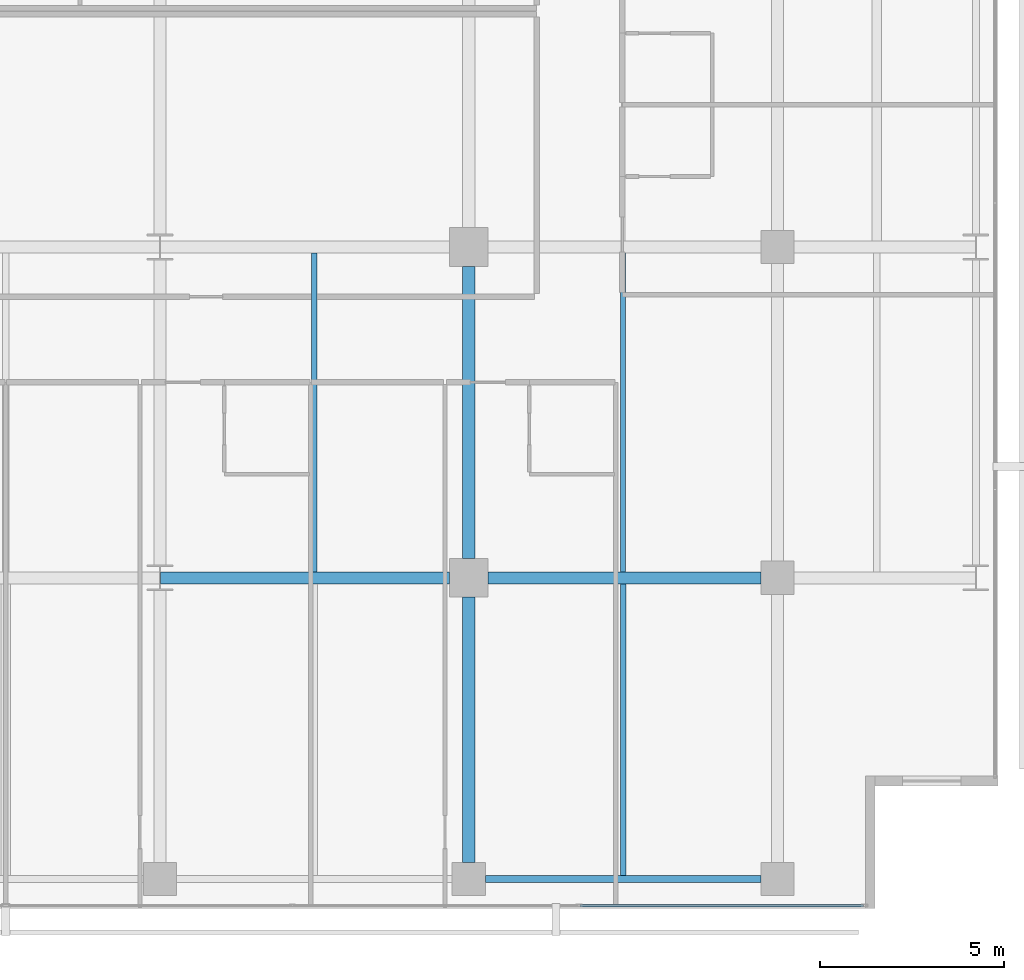
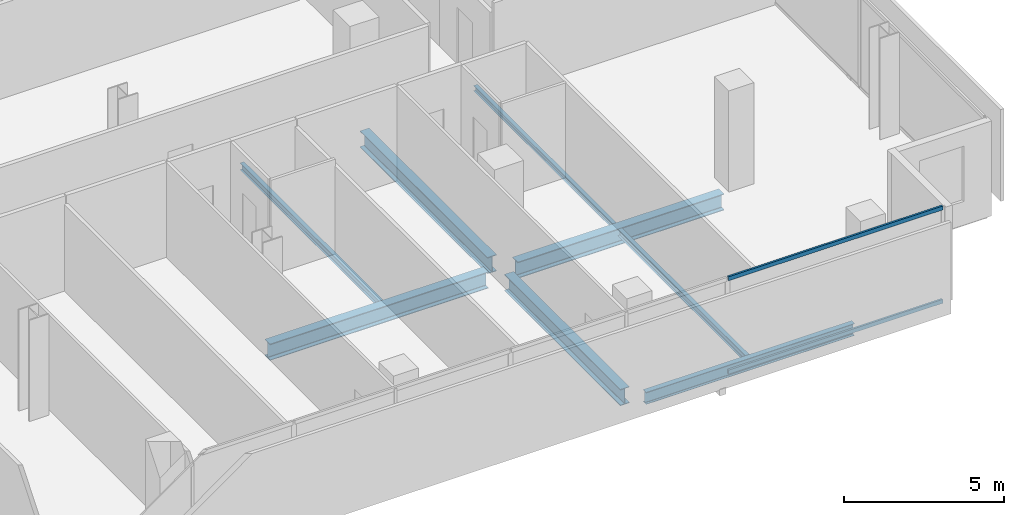
# One storey, part 15 of 40: 8 beams, 2 members, 1 element without a shape of its own.
"""IFC4 building model written with IfcOpenShell, lengths in metres."""

from ifc_helpers import new_model, si_unit, direction, frame, origin, origin_2d, place, context, subcontext, project, spatial, hollow_rectangle, i_section, extrude, material, layer, layer_set, material_profile, profile_set, type_object, element, aggregate, save


model = new_model("IFC4")

# Units and contexts
model_context = context("Model", 3, precision=1e-05, world=origin(), true_north=direction((0.0, 1.0)))
body_context = subcontext(model_context, "Body", "Model", "MODEL_VIEW")
ifc_project = project(units=[si_unit("LENGTHUNIT", "METRE"), si_unit("AREAUNIT", "SQUARE_METRE"), si_unit("VOLUMEUNIT", "CUBIC_METRE"), si_unit("PLANEANGLEUNIT", "RADIAN"), si_unit("MASSUNIT", "GRAM", prefix="KILO")], contexts=[model_context])

# Site, building, storey
site_placement = place(None, origin())
site = spatial("IfcSite", under=ifc_project, at=site_placement, CompositionType="ELEMENT")
building_placement = place(site_placement, origin())
building = spatial("IfcBuilding", under=site, at=building_placement, Name="Maruvema Waterfront Hotel and Observation Tower", CompositionType="ELEMENT")
storey_placement = place(building_placement, frame((0.0, 0.0, 50.050048828125)))
storey = spatial("IfcBuildingStorey", under=building, at=storey_placement, Name="L11", CompositionType="ELEMENT", Elevation=50.050048828125)

# Curtain wall, members
ifc_material_1 = material(Name="Anodised bronze aluminium and solar-control low-E IGU", Category="aluminium")
ifc_layer = layer(ifc_material_1, 0.159912109375, Name="Zone 1 Bronze Inner Thermal Curtain Wall System CW-02")
ifc_layer_set = layer_set([ifc_layer], Name="Anodised bronze aluminium and solar-control low-E IGU")
curtain_wall_type = type_object("IfcCurtainWallType", Name="Zone 1 Bronze Inner Thermal Curtain Wall System CW-02", PredefinedType="USERDEFINED", material=ifc_layer_set)
curtain_wall_placement = place(storey_placement, origin())
curtain_wall = element("IfcCurtainWall", 1, at=curtain_wall_placement, inside=storey, type_object=curtain_wall_type, Name="L11 Curtain Wall CW-L11-S", ObjectType="UNITISED CURTAIN WALL", PredefinedType="USERDEFINED")
ifc_material_2 = material(Name="Anodised architectural bronze aluminium", Category="aluminium")
ifc_material_profile_1 = material_profile(ifc_material_2, hollow_rectangle(XDim=0.070068359375, YDim=0.14990234375, WallThickness=0.00390625, at=origin_2d()), Name="ALU-T70x150")
ifc_profile_set_1 = profile_set([ifc_material_profile_1], Name="Anodised architectural bronze aluminium")
member_type = type_object("IfcMemberType", Name="Curtain Wall Horizontal Transom ALU-T70x150", PredefinedType="USERDEFINED", material=ifc_profile_set_1)
member_1_placement = place(storey_placement, frame((53.429931640625, 0.080078125, 0.030029296875), z_axis=(1.0, 0.0, 0.0), x_axis=(0.0, 1.0, 0.0)))
member_1 = element("IfcMember", 2, at=member_1_placement, type_object=member_type, Name="CW-02 transom 6.1", ObjectType="TRANSOM", PredefinedType="USERDEFINED", context=body_context, shape_type="SweptSolid", body=[
    extrude(hollow_rectangle(XDim=0.070068359375, YDim=0.14990234375, WallThickness=0.00390625, at=origin_2d()), origin(), (0.0, 0.0, 1.0), 7.7099609375),
])
member_2_placement = place(storey_placement, frame((53.429931640625, 0.080078125, 3.579833984375), z_axis=(1.0, 0.0, 0.0), x_axis=(0.0, 1.0, 0.0)))
member_2 = element("IfcMember", 3, at=member_2_placement, type_object=member_type, Name="CW-02 transom 6.2", ObjectType="TRANSOM", PredefinedType="USERDEFINED", context=body_context, shape_type="SweptSolid", body=[
    extrude(hollow_rectangle(XDim=0.070068359375, YDim=0.14990234375, WallThickness=0.00390625, at=origin_2d()), origin(), (0.0, 0.0, 1.0), 7.7099609375),
])
aggregate(curtain_wall, [member_1, member_2])

# Beams
ifc_material_3 = material(Name="Steel ASTM A572 Grade 50", Category="steel")
ifc_material_profile_2 = material_profile(ifc_material_3, i_section(OverallWidth=0.18994140625, OverallDepth=0.45703125, WebThickness=0.009033203125, FlangeThickness=0.014404296875, FilletRadius=0.014892578125, at=origin_2d()), Name="W460x74.0")
ifc_profile_set_2 = profile_set([ifc_material_profile_2], Name="Steel ASTM A572 Grade 50")
beam_type_1 = type_object("IfcBeamType", Name="Perimeter Spandrel Beam W460x74.0", PredefinedType="SPANDREL", material=ifc_profile_set_2)
beam_1_placement = place(storey_placement, frame((50.85009765625, 0.800048828125, -0.468505859375), z_axis=(1.0, 0.0, 0.0), x_axis=(0.0, 1.0, 0.0)))
element("IfcBeam", 4, at=beam_1_placement, inside=storey, type_object=beam_type_1, Name="L11 Floor Girder EW-05", PredefinedType="SPANDREL", context=body_context, shape_type="SweptSolid", body=[
    extrude(i_section(OverallWidth=0.18994140625, OverallDepth=0.45703125, WebThickness=0.009033203125, FlangeThickness=0.014404296875, FilletRadius=0.014892578125, at=origin_2d()), origin(), (0.0, 0.0, 1.0), 7.5),
])
ifc_material_4 = material(Name="Steel ASTM A572 Grade 50", Category="steel")
ifc_material_profile_3 = material_profile(ifc_material_4, i_section(OverallWidth=0.326904296875, OverallDepth=0.6220703125, WebThickness=0.015380859375, FlangeThickness=0.0244140625, FilletRadius=0.01806640625, at=origin_2d()), Name="W610x195.0")
ifc_profile_set_3 = profile_set([ifc_material_profile_3], Name="Steel ASTM A572 Grade 50")
beam_type_2 = type_object("IfcBeamType", Name="Primary Floor Girder W610x195.0", PredefinedType="BEAM", material=ifc_profile_set_3)
beam_2_placement = place(storey_placement, frame((42.013916015625, 9.0, -0.551025390625), z_axis=(1.0, 0.0, 0.0), x_axis=(0.0, 1.0, 0.0)))
element("IfcBeam", 5, at=beam_2_placement, inside=storey, type_object=beam_type_2, Name="L11 Floor Girder EW-10", PredefinedType="BEAM", context=body_context, shape_type="SweptSolid", body=[
    extrude(i_section(OverallWidth=0.326904296875, OverallDepth=0.6220703125, WebThickness=0.015380859375, FlangeThickness=0.0244140625, FilletRadius=0.01806640625, at=origin_2d()), origin(), (0.0, 0.0, 1.0), 7.861083984375),
])
beam_3_placement = place(storey_placement, frame((50.925048828125, 9.0, -0.551025390625), z_axis=(1.0, 0.0, 0.0), x_axis=(0.0, 1.0, 0.0)))
element("IfcBeam", 6, at=beam_3_placement, inside=storey, type_object=beam_type_2, Name="L11 Floor Girder EW-11", PredefinedType="BEAM", context=body_context, shape_type="SweptSolid", body=[
    extrude(i_section(OverallWidth=0.326904296875, OverallDepth=0.6220703125, WebThickness=0.015380859375, FlangeThickness=0.0244140625, FilletRadius=0.01806640625, at=origin_2d()), origin(), (0.0, 0.0, 1.0), 7.425048828125),
])
beam_4_placement = place(storey_placement, frame((50.39990234375, 1.25, -0.551025390625), z_axis=(0.0, 1.0, 0.0), x_axis=(-1.0, 0.0, 0.0)))
element("IfcBeam", 7, at=beam_4_placement, inside=storey, type_object=beam_type_2, Name="L11 Floor Girder NS-22", PredefinedType="BEAM", context=body_context, shape_type="SweptSolid", body=[
    extrude(i_section(OverallWidth=0.326904296875, OverallDepth=0.6220703125, WebThickness=0.015380859375, FlangeThickness=0.0244140625, FilletRadius=0.01806640625, at=origin_2d()), origin(), (0.0, 0.0, 1.0), 7.22509765625),
])
beam_5_placement = place(storey_placement, frame((50.39990234375, 9.52490234375, -0.551025390625), z_axis=(0.0, 1.0, 0.0), x_axis=(-1.0, 0.0, 0.0)))
element("IfcBeam", 8, at=beam_5_placement, inside=storey, type_object=beam_type_2, Name="L11 Floor Girder NS-23", PredefinedType="BEAM", context=body_context, shape_type="SweptSolid", body=[
    extrude(i_section(OverallWidth=0.326904296875, OverallDepth=0.6220703125, WebThickness=0.015380859375, FlangeThickness=0.0244140625, FilletRadius=0.01806640625, at=origin_2d()), origin(), (0.0, 0.0, 1.0), 7.9501953125),
])
ifc_material_5 = material(Name="Steel ASTM A572 Grade 50", Category="steel")
ifc_material_profile_4 = material_profile(ifc_material_5, i_section(OverallWidth=0.133056640625, OverallDepth=0.20703125, WebThickness=0.005859375, FlangeThickness=0.00830078125, FilletRadius=0.010009765625, at=origin_2d()), Name="W200x26.6")
ifc_profile_set_4 = profile_set([ifc_material_profile_4], Name="Steel ASTM A572 Grade 50")
beam_type_3 = type_object("IfcBeamType", Name="Secondary Floor Joist W200x26.6", PredefinedType="JOIST", material=ifc_profile_set_4)
beam_6_placement = place(storey_placement, frame((54.60009765625, 9.16357421875, -0.343505859375), z_axis=(0.0, 1.0, 0.0), x_axis=(-1.0, 0.0, 0.0)))
element("IfcBeam", 9, at=beam_6_placement, inside=storey, type_object=beam_type_3, Name="L11 Secondary Floor Joist JS-17", PredefinedType="JOIST", context=body_context, shape_type="SweptSolid", body=[
    extrude(i_section(OverallWidth=0.133056640625, OverallDepth=0.20703125, WebThickness=0.005859375, FlangeThickness=0.00830078125, FilletRadius=0.010009765625, at=origin_2d()), origin(), (0.0, 0.0, 1.0), 8.6728515625),
])
ifc_material_6 = material(Name="Steel ASTM A572 Grade 50", Category="steel")
ifc_material_profile_5 = material_profile(ifc_material_6, i_section(OverallWidth=0.14599609375, OverallDepth=0.258056640625, WebThickness=0.006103515625, FlangeThickness=0.009033203125, FilletRadius=0.012939453125, at=origin_2d()), Name="W250x32.7")
ifc_profile_set_5 = profile_set([ifc_material_profile_5], Name="Steel ASTM A572 Grade 50")
beam_type_4 = type_object("IfcBeamType", Name="Secondary Floor Joist W250x32.7", PredefinedType="JOIST", material=ifc_profile_set_5)
beam_7_placement = place(storey_placement, frame((54.60009765625, 0.89501953125, -0.369140625), z_axis=(0.0, 1.0, 0.0), x_axis=(-1.0, 0.0, 0.0)))
element("IfcBeam", 10, at=beam_7_placement, inside=storey, type_object=beam_type_4, Name="L11 Secondary Floor Joist JS-16", PredefinedType="JOIST", context=body_context, shape_type="SweptSolid", body=[
    extrude(i_section(OverallWidth=0.14599609375, OverallDepth=0.258056640625, WebThickness=0.006103515625, FlangeThickness=0.009033203125, FilletRadius=0.012939453125, at=origin_2d()), origin(), (0.0, 0.0, 1.0), 7.94140625),
])
ifc_material_7 = material(Name="Steel ASTM A572 Grade 50", Category="steel")
ifc_material_profile_6 = material_profile(ifc_material_7, i_section(OverallWidth=0.14794921875, OverallDepth=0.26611328125, WebThickness=0.007568359375, FlangeThickness=0.012939453125, FilletRadius=0.012939453125, at=origin_2d()), Name="W250x44.8")
ifc_profile_set_6 = profile_set([ifc_material_profile_6], Name="Steel ASTM A572 Grade 50")
beam_type_5 = type_object("IfcBeamType", Name="Secondary Floor Joist W250x44.8", PredefinedType="JOIST", material=ifc_profile_set_6)
beam_8_placement = place(storey_placement, frame((46.199951171875, 9.16357421875, -0.373046875), z_axis=(0.0, 1.0, 0.0), x_axis=(-1.0, 0.0, 0.0)))
element("IfcBeam", 11, at=beam_8_placement, inside=storey, type_object=beam_type_5, Name="L11 Secondary Floor Joist JS-15", PredefinedType="JOIST", context=body_context, shape_type="SweptSolid", body=[
    extrude(i_section(OverallWidth=0.14794921875, OverallDepth=0.26611328125, WebThickness=0.007568359375, FlangeThickness=0.012939453125, FilletRadius=0.012939453125, at=origin_2d()), origin(), (0.0, 0.0, 1.0), 8.6728515625),
])

save(model, "model.ifc")
